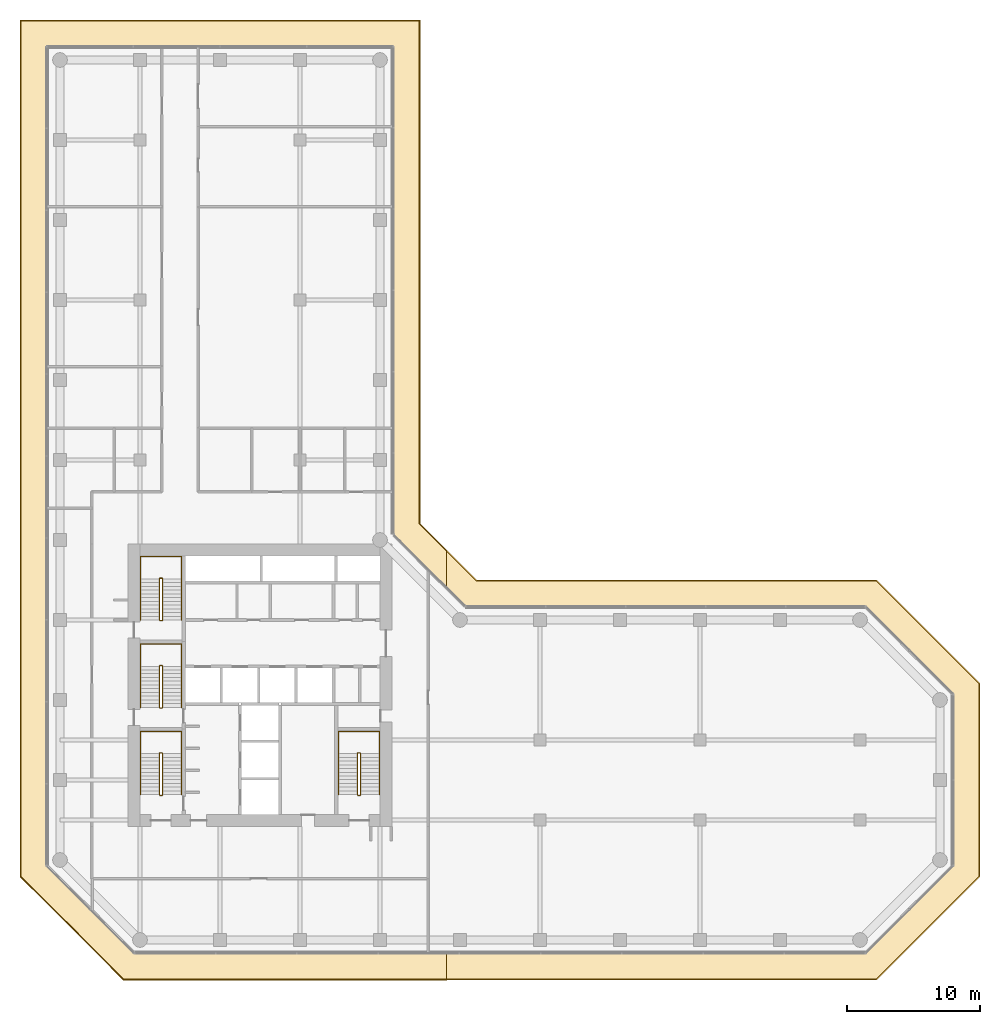
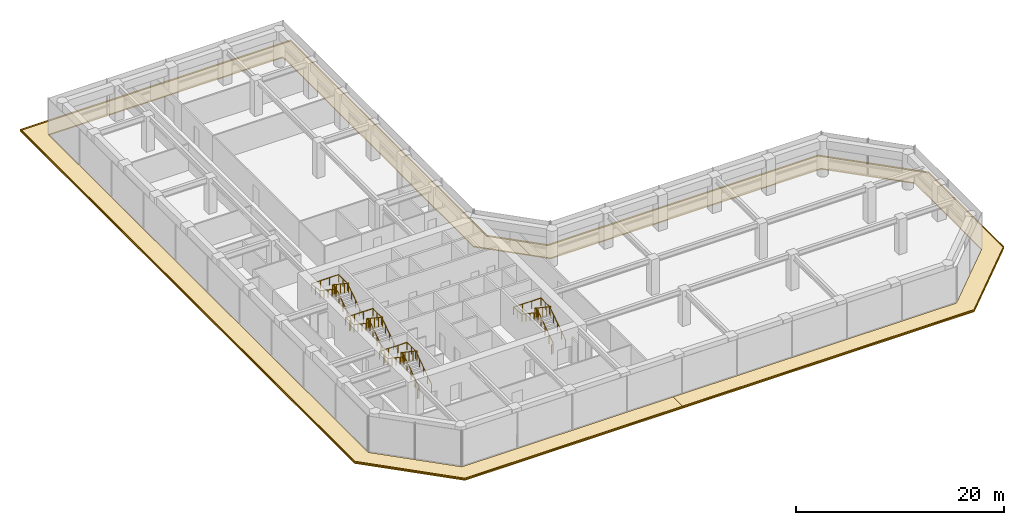
# One storey, part 24 of 24: 8 railings, 4 coverings.
"""IFC4 building model written with IfcOpenShell, lengths in metres."""

from ifc_helpers import new_model, si_unit, direction, frame, origin, origin_2d, place, context, subcontext, project, spatial, polyline, circle, outline, extrude, material, layer, layer_set, type_object, element, save


model = new_model("IFC4")

# Units and contexts
model_context = context("Model", 3, precision=1e-05, world=origin(), true_north=direction((0.0, 1.0)))
body_context = subcontext(model_context, "Body", "Model", "MODEL_VIEW")
ifc_project = project(units=[si_unit("LENGTHUNIT", "METRE"), si_unit("AREAUNIT", "SQUARE_METRE"), si_unit("VOLUMEUNIT", "CUBIC_METRE"), si_unit("PLANEANGLEUNIT", "RADIAN"), si_unit("MASSUNIT", "GRAM", prefix="KILO")], contexts=[model_context])

# Site, building, storey
site_placement = place(None, origin())
site = spatial("IfcSite", under=ifc_project, at=site_placement, CompositionType="ELEMENT")
building_placement = place(site_placement, origin())
building = spatial("IfcBuilding", under=site, at=building_placement, Name="Welwitschia Terrace Campus", CompositionType="ELEMENT")
storey_placement = place(building_placement, frame((0.0, 0.0, 15.5)))
storey = spatial("IfcBuildingStorey", under=building, at=storey_placement, Name="L03", CompositionType="ELEMENT", Elevation=15.5)

# Railings
ifc_material_1 = material(Name="Steel S355", Category="steel")
railing_type_1 = type_object("IfcRailingType", Name="Stair guard 1100", PredefinedType="GUARDRAIL", material=ifc_material_1)
railing_1_placement = place(storey_placement, frame((7.5, 6.85009765625, 0.0)))
element("IfcRailing", 1, at=railing_1_placement, inside=storey, type_object=railing_type_1, Name="L03 S1 stair guard", PredefinedType="GUARDRAIL", context=body_context, shape_type="SweptSolid", body=[
    extrude(circle(Radius=0.02392578125, at=origin_2d()), frame((0.0, 0.0, 1.076171875), z_axis=(1.0, 0.0, 0.0), x_axis=(0.0, 1.0, 0.0)), (0.0, 0.0, 1.0), 0.14990234375),
    extrude(circle(Radius=0.02392578125, at=origin_2d()), frame((0.14990234375, 0.0, 1.076171875), z_axis=(0.249802250048, 0.248583702486, 0.935844527007), x_axis=(-0.705375805398, 0.708833529934, 0.0)), (0.0, 0.0, 1.0), 0.200439453125),
    extrude(circle(Radius=0.02392578125, at=origin_2d()), frame((0.199951171875, 0.0498046875, 1.263671875), z_axis=(0.0, 0.830913701846, 0.55640131208), x_axis=(-1.0, 0.0, 0.0)), (0.0, 0.0, 1.0), 3.706787109375),
    extrude(circle(Radius=0.02392578125, at=origin_2d()), frame((0.199951171875, 3.1298828125, 3.326171875), z_axis=(-0.707106781187, 0.707106781187, 0.0), x_axis=(-0.707106781187, -0.707106781187, 0.0)), (0.0, 0.0, 1.0), 0.07080078125),
    extrude(circle(Radius=0.02392578125, at=origin_2d()), frame((0.14990234375, 3.179931640625, 3.326171875), z_axis=(-1.0, 0.0, 0.0), x_axis=(0.0, -1.0, 0.0)), (0.0, 0.0, 1.0), 0.14990234375),
    extrude(circle(Radius=0.02392578125, at=origin_2d()), frame((0.0, 3.179931640625, 3.326171875), z_axis=(-0.249726431254, -0.249726431254, 0.935560483917), x_axis=(0.707106781187, -0.707106781187, 0.0)), (0.0, 0.0, 1.0), 0.200439453125),
    extrude(circle(Radius=0.02392578125, at=origin_2d()), frame((-0.050048828125, 3.1298828125, 3.513671875), z_axis=(0.0, -0.830913701846, 0.55640131208), x_axis=(1.0, 0.0, 0.0)), (0.0, 0.0, 1.0), 3.706787109375),
    extrude(circle(Radius=0.02099609375, at=origin_2d()), origin(), (0.0, 0.0, 1.0), 1.052001953125),
    extrude(circle(Radius=0.02099609375, at=origin_2d()), frame((0.14990234375, 0.0, 0.0)), (0.0, 0.0, 1.0), 1.052001953125),
    extrude(circle(Radius=0.02099609375, at=origin_2d()), frame((0.199951171875, 0.0498046875, 0.1875)), (0.0, 0.0, 1.0), 1.052001953125),
    extrude(circle(Radius=0.02099609375, at=origin_2d()), frame((0.199951171875, 0.81982421875, 0.703125)), (0.0, 0.0, 1.0), 1.052001953125),
    extrude(circle(Radius=0.02099609375, at=origin_2d()), frame((0.199951171875, 1.58984375, 1.21875)), (0.0, 0.0, 1.0), 1.052001953125),
    extrude(circle(Radius=0.02099609375, at=origin_2d()), frame((0.199951171875, 2.35986328125, 1.734375)), (0.0, 0.0, 1.0), 1.052001953125),
    extrude(circle(Radius=0.02099609375, at=origin_2d()), frame((0.199951171875, 3.1298828125, 2.25)), (0.0, 0.0, 1.0), 1.052001953125),
    extrude(circle(Radius=0.02099609375, at=origin_2d()), frame((0.14990234375, 3.179931640625, 2.25)), (0.0, 0.0, 1.0), 1.052001953125),
    extrude(circle(Radius=0.02099609375, at=origin_2d()), frame((0.0, 3.179931640625, 2.25)), (0.0, 0.0, 1.0), 1.052001953125),
    extrude(circle(Radius=0.02099609375, at=origin_2d()), frame((-0.050048828125, 3.1298828125, 2.4375)), (0.0, 0.0, 1.0), 1.052001953125),
    extrude(circle(Radius=0.02099609375, at=origin_2d()), frame((-0.050048828125, 2.35986328125, 2.953125)), (0.0, 0.0, 1.0), 1.052001953125),
    extrude(circle(Radius=0.02099609375, at=origin_2d()), frame((-0.050048828125, 1.58984375, 3.46875)), (0.0, 0.0, 1.0), 1.052001953125),
    extrude(circle(Radius=0.02099609375, at=origin_2d()), frame((-0.050048828125, 0.81982421875, 3.984375)), (0.0, 0.0, 1.0), 1.052001953125),
    extrude(circle(Radius=0.02099609375, at=origin_2d()), frame((-0.050048828125, 0.0498046875, 4.5)), (0.0, 0.0, 1.0), 1.052001953125),
])
railing_2_placement = place(storey_placement, frame((7.5, 13.39990234375, 0.0)))
element("IfcRailing", 2, at=railing_2_placement, inside=storey, type_object=railing_type_1, Name="L03 S3 stair guard", PredefinedType="GUARDRAIL", context=body_context, shape_type="SweptSolid", body=[
    extrude(circle(Radius=0.02392578125, at=origin_2d()), frame((0.0, 0.0, 1.076171875), z_axis=(1.0, 0.0, 0.0), x_axis=(0.0, 1.0, 0.0)), (0.0, 0.0, 1.0), 0.14990234375),
    extrude(circle(Radius=0.02392578125, at=origin_2d()), frame((0.14990234375, 0.0, 1.076171875), z_axis=(0.249726431254, 0.249726431254, 0.935560483917), x_axis=(-0.707106781187, 0.707106781187, 0.0)), (0.0, 0.0, 1.0), 0.200439453125),
    extrude(circle(Radius=0.02392578125, at=origin_2d()), frame((0.199951171875, 0.050048828125, 1.263671875), z_axis=(0.0, 0.830913701846, 0.55640131208), x_axis=(-1.0, 0.0, 0.0)), (0.0, 0.0, 1.0), 3.706787109375),
    extrude(circle(Radius=0.02392578125, at=origin_2d()), frame((0.199951171875, 3.130126953125, 3.326171875), z_axis=(-0.707106781187, 0.707106781187, 0.0), x_axis=(-0.707106781187, -0.707106781187, 0.0)), (0.0, 0.0, 1.0), 0.07080078125),
    extrude(circle(Radius=0.02392578125, at=origin_2d()), frame((0.14990234375, 3.18017578125, 3.326171875), z_axis=(-1.0, 0.0, 0.0), x_axis=(0.0, -1.0, 0.0)), (0.0, 0.0, 1.0), 0.14990234375),
    extrude(circle(Radius=0.02392578125, at=origin_2d()), frame((0.0, 3.18017578125, 3.326171875), z_axis=(-0.249726431254, -0.249726431254, 0.935560483917), x_axis=(0.707106781187, -0.707106781187, 0.0)), (0.0, 0.0, 1.0), 0.200439453125),
    extrude(circle(Radius=0.02392578125, at=origin_2d()), frame((-0.050048828125, 3.130126953125, 3.513671875), z_axis=(0.0, -0.830913701846, 0.55640131208), x_axis=(1.0, 0.0, 0.0)), (0.0, 0.0, 1.0), 3.706787109375),
    extrude(circle(Radius=0.02099609375, at=origin_2d()), origin(), (0.0, 0.0, 1.0), 1.052001953125),
    extrude(circle(Radius=0.02099609375, at=origin_2d()), frame((0.14990234375, 0.0, 0.0)), (0.0, 0.0, 1.0), 1.052001953125),
    extrude(circle(Radius=0.02099609375, at=origin_2d()), frame((0.199951171875, 0.050048828125, 0.1875)), (0.0, 0.0, 1.0), 1.052001953125),
    extrude(circle(Radius=0.02099609375, at=origin_2d()), frame((0.199951171875, 0.820068359375, 0.703125)), (0.0, 0.0, 1.0), 1.052001953125),
    extrude(circle(Radius=0.02099609375, at=origin_2d()), frame((0.199951171875, 1.590087890625, 1.21875)), (0.0, 0.0, 1.0), 1.052001953125),
    extrude(circle(Radius=0.02099609375, at=origin_2d()), frame((0.199951171875, 2.360107421875, 1.734375)), (0.0, 0.0, 1.0), 1.052001953125),
    extrude(circle(Radius=0.02099609375, at=origin_2d()), frame((0.199951171875, 3.130126953125, 2.25)), (0.0, 0.0, 1.0), 1.052001953125),
    extrude(circle(Radius=0.02099609375, at=origin_2d()), frame((0.14990234375, 3.18017578125, 2.25)), (0.0, 0.0, 1.0), 1.052001953125),
    extrude(circle(Radius=0.02099609375, at=origin_2d()), frame((0.0, 3.18017578125, 2.25)), (0.0, 0.0, 1.0), 1.052001953125),
    extrude(circle(Radius=0.02099609375, at=origin_2d()), frame((-0.050048828125, 3.130126953125, 2.4375)), (0.0, 0.0, 1.0), 1.052001953125),
    extrude(circle(Radius=0.02099609375, at=origin_2d()), frame((-0.050048828125, 2.360107421875, 2.953125)), (0.0, 0.0, 1.0), 1.052001953125),
    extrude(circle(Radius=0.02099609375, at=origin_2d()), frame((-0.050048828125, 1.590087890625, 3.46875)), (0.0, 0.0, 1.0), 1.052001953125),
    extrude(circle(Radius=0.02099609375, at=origin_2d()), frame((-0.050048828125, 0.820068359375, 3.984375)), (0.0, 0.0, 1.0), 1.052001953125),
    extrude(circle(Radius=0.02099609375, at=origin_2d()), frame((-0.050048828125, 0.050048828125, 4.5)), (0.0, 0.0, 1.0), 1.052001953125),
])
railing_3_placement = place(storey_placement, frame((7.5, 19.949951171875, 0.0)))
element("IfcRailing", 3, at=railing_3_placement, inside=storey, type_object=railing_type_1, Name="L03 S4 stair guard", PredefinedType="GUARDRAIL", context=body_context, shape_type="SweptSolid", body=[
    extrude(circle(Radius=0.02392578125, at=origin_2d()), frame((0.0, 0.0, 1.076171875), z_axis=(1.0, 0.0, 0.0), x_axis=(0.0, 1.0, 0.0)), (0.0, 0.0, 1.0), 0.14990234375),
    extrude(circle(Radius=0.02392578125, at=origin_2d()), frame((0.14990234375, 0.0, 1.076171875), z_axis=(0.249726431254, 0.249726431254, 0.935560483917), x_axis=(-0.707106781187, 0.707106781187, 0.0)), (0.0, 0.0, 1.0), 0.200439453125),
    extrude(circle(Radius=0.02392578125, at=origin_2d()), frame((0.199951171875, 0.050048828125, 1.263671875), z_axis=(0.0, 0.830913701846, 0.55640131208), x_axis=(-1.0, 0.0, 0.0)), (0.0, 0.0, 1.0), 3.706787109375),
    extrude(circle(Radius=0.02392578125, at=origin_2d()), frame((0.199951171875, 3.130126953125, 3.326171875), z_axis=(-0.708833529934, 0.705375805398, 0.0), x_axis=(-0.705375805398, -0.708833529934, 0.0)), (0.0, 0.0, 1.0), 0.070556640625),
    extrude(circle(Radius=0.02392578125, at=origin_2d()), frame((0.14990234375, 3.179931640625, 3.326171875), z_axis=(-1.0, 0.0, 0.0), x_axis=(0.0, -1.0, 0.0)), (0.0, 0.0, 1.0), 0.14990234375),
    extrude(circle(Radius=0.02392578125, at=origin_2d()), frame((0.0, 3.179931640625, 3.326171875), z_axis=(-0.249802250048, -0.248583702486, 0.935844527007), x_axis=(0.705375805398, -0.708833529934, 0.0)), (0.0, 0.0, 1.0), 0.200439453125),
    extrude(circle(Radius=0.02392578125, at=origin_2d()), frame((-0.050048828125, 3.130126953125, 3.513671875), z_axis=(0.0, -0.830913701846, 0.55640131208), x_axis=(1.0, 0.0, 0.0)), (0.0, 0.0, 1.0), 3.706787109375),
    extrude(circle(Radius=0.02099609375, at=origin_2d()), origin(), (0.0, 0.0, 1.0), 1.052001953125),
    extrude(circle(Radius=0.02099609375, at=origin_2d()), frame((0.14990234375, 0.0, 0.0)), (0.0, 0.0, 1.0), 1.052001953125),
    extrude(circle(Radius=0.02099609375, at=origin_2d()), frame((0.199951171875, 0.050048828125, 0.1875)), (0.0, 0.0, 1.0), 1.052001953125),
    extrude(circle(Radius=0.02099609375, at=origin_2d()), frame((0.199951171875, 0.820068359375, 0.703125)), (0.0, 0.0, 1.0), 1.052001953125),
    extrude(circle(Radius=0.02099609375, at=origin_2d()), frame((0.199951171875, 1.590087890625, 1.21875)), (0.0, 0.0, 1.0), 1.052001953125),
    extrude(circle(Radius=0.02099609375, at=origin_2d()), frame((0.199951171875, 2.360107421875, 1.734375)), (0.0, 0.0, 1.0), 1.052001953125),
    extrude(circle(Radius=0.02099609375, at=origin_2d()), frame((0.199951171875, 3.130126953125, 2.25)), (0.0, 0.0, 1.0), 1.052001953125),
    extrude(circle(Radius=0.02099609375, at=origin_2d()), frame((0.14990234375, 3.179931640625, 2.25)), (0.0, 0.0, 1.0), 1.052001953125),
    extrude(circle(Radius=0.02099609375, at=origin_2d()), frame((0.0, 3.179931640625, 2.25)), (0.0, 0.0, 1.0), 1.052001953125),
    extrude(circle(Radius=0.02099609375, at=origin_2d()), frame((-0.050048828125, 3.130126953125, 2.4375)), (0.0, 0.0, 1.0), 1.052001953125),
    extrude(circle(Radius=0.02099609375, at=origin_2d()), frame((-0.050048828125, 2.360107421875, 2.953125)), (0.0, 0.0, 1.0), 1.052001953125),
    extrude(circle(Radius=0.02099609375, at=origin_2d()), frame((-0.050048828125, 1.590087890625, 3.46875)), (0.0, 0.0, 1.0), 1.052001953125),
    extrude(circle(Radius=0.02099609375, at=origin_2d()), frame((-0.050048828125, 0.820068359375, 3.984375)), (0.0, 0.0, 1.0), 1.052001953125),
    extrude(circle(Radius=0.02099609375, at=origin_2d()), frame((-0.050048828125, 0.050048828125, 4.5)), (0.0, 0.0, 1.0), 1.052001953125),
])
railing_4_placement = place(storey_placement, frame((22.35009765625, 6.85009765625, 0.0)))
element("IfcRailing", 4, at=railing_4_placement, inside=storey, type_object=railing_type_1, Name="L03 S2 stair guard", PredefinedType="GUARDRAIL", context=body_context, shape_type="SweptSolid", body=[
    extrude(circle(Radius=0.02392578125, at=origin_2d()), frame((0.0, 0.0, 1.076171875), z_axis=(1.0, 0.0, 0.0), x_axis=(0.0, 1.0, 0.0)), (0.0, 0.0, 1.0), 0.14990234375),
    extrude(circle(Radius=0.02392578125, at=origin_2d()), frame((0.14990234375, 0.0, 1.076171875), z_axis=(0.249802250048, 0.248583702486, 0.935844527007), x_axis=(-0.705375805398, 0.708833529934, 0.0)), (0.0, 0.0, 1.0), 0.200439453125),
    extrude(circle(Radius=0.02392578125, at=origin_2d()), frame((0.199951171875, 0.0498046875, 1.263671875), z_axis=(0.0, 0.830913701846, 0.55640131208), x_axis=(-1.0, 0.0, 0.0)), (0.0, 0.0, 1.0), 3.706787109375),
    extrude(circle(Radius=0.02392578125, at=origin_2d()), frame((0.199951171875, 3.1298828125, 3.326171875), z_axis=(-0.707106781187, 0.707106781187, 0.0), x_axis=(-0.707106781187, -0.707106781187, 0.0)), (0.0, 0.0, 1.0), 0.07080078125),
    extrude(circle(Radius=0.02392578125, at=origin_2d()), frame((0.14990234375, 3.179931640625, 3.326171875), z_axis=(-1.0, 0.0, 0.0), x_axis=(0.0, -1.0, 0.0)), (0.0, 0.0, 1.0), 0.14990234375),
    extrude(circle(Radius=0.02392578125, at=origin_2d()), frame((0.0, 3.179931640625, 3.326171875), z_axis=(-0.249726431254, -0.249726431254, 0.935560483917), x_axis=(0.707106781187, -0.707106781187, 0.0)), (0.0, 0.0, 1.0), 0.200439453125),
    extrude(circle(Radius=0.02392578125, at=origin_2d()), frame((-0.050048828125, 3.1298828125, 3.513671875), z_axis=(0.0, -0.830913701846, 0.55640131208), x_axis=(1.0, 0.0, 0.0)), (0.0, 0.0, 1.0), 3.706787109375),
    extrude(circle(Radius=0.02099609375, at=origin_2d()), origin(), (0.0, 0.0, 1.0), 1.052001953125),
    extrude(circle(Radius=0.02099609375, at=origin_2d()), frame((0.14990234375, 0.0, 0.0)), (0.0, 0.0, 1.0), 1.052001953125),
    extrude(circle(Radius=0.02099609375, at=origin_2d()), frame((0.199951171875, 0.0498046875, 0.1875)), (0.0, 0.0, 1.0), 1.052001953125),
    extrude(circle(Radius=0.02099609375, at=origin_2d()), frame((0.199951171875, 0.81982421875, 0.703125)), (0.0, 0.0, 1.0), 1.052001953125),
    extrude(circle(Radius=0.02099609375, at=origin_2d()), frame((0.199951171875, 1.58984375, 1.21875)), (0.0, 0.0, 1.0), 1.052001953125),
    extrude(circle(Radius=0.02099609375, at=origin_2d()), frame((0.199951171875, 2.35986328125, 1.734375)), (0.0, 0.0, 1.0), 1.052001953125),
    extrude(circle(Radius=0.02099609375, at=origin_2d()), frame((0.199951171875, 3.1298828125, 2.25)), (0.0, 0.0, 1.0), 1.052001953125),
    extrude(circle(Radius=0.02099609375, at=origin_2d()), frame((0.14990234375, 3.179931640625, 2.25)), (0.0, 0.0, 1.0), 1.052001953125),
    extrude(circle(Radius=0.02099609375, at=origin_2d()), frame((0.0, 3.179931640625, 2.25)), (0.0, 0.0, 1.0), 1.052001953125),
    extrude(circle(Radius=0.02099609375, at=origin_2d()), frame((-0.050048828125, 3.1298828125, 2.4375)), (0.0, 0.0, 1.0), 1.052001953125),
    extrude(circle(Radius=0.02099609375, at=origin_2d()), frame((-0.050048828125, 2.35986328125, 2.953125)), (0.0, 0.0, 1.0), 1.052001953125),
    extrude(circle(Radius=0.02099609375, at=origin_2d()), frame((-0.050048828125, 1.58984375, 3.46875)), (0.0, 0.0, 1.0), 1.052001953125),
    extrude(circle(Radius=0.02099609375, at=origin_2d()), frame((-0.050048828125, 0.81982421875, 3.984375)), (0.0, 0.0, 1.0), 1.052001953125),
    extrude(circle(Radius=0.02099609375, at=origin_2d()), frame((-0.050048828125, 0.0498046875, 4.5)), (0.0, 0.0, 1.0), 1.052001953125),
])
ifc_material_2 = material(Name="Steel S355", Category="steel")
railing_type_2 = type_object("IfcRailingType", Name="Stair handrail 900", PredefinedType="HANDRAIL", material=ifc_material_2)
railing_5_placement = place(storey_placement, frame((9.10009765625, 6.89990234375, 0.1875)))
element("IfcRailing", 5, at=railing_5_placement, inside=storey, type_object=railing_type_2, Name="L03 S1 stair handrail", PredefinedType="HANDRAIL", context=body_context, shape_type="SweptSolid", body=[
    extrude(circle(Radius=0.02392578125, at=origin_2d()), frame((0.0, 0.0, 0.8759765625), z_axis=(0.0, 0.830913701846, 0.55640131208), x_axis=(-1.0, 0.0, 0.0)), (0.0, 0.0, 1.0), 3.706787109375),
    extrude(circle(Radius=0.02392578125, at=origin_2d()), frame((0.0, 3.080078125, 2.9384765625), z_axis=(0.0, 1.0, 0.0), x_axis=(-1.0, 0.0, 0.0)), (0.0, 0.0, 1.0), 1.669921875),
    extrude(circle(Radius=0.02392578125, at=origin_2d()), frame((0.0, 4.75, 2.9384765625), z_axis=(-1.0, 0.0, 0.0), x_axis=(0.0, -1.0, 0.0)), (0.0, 0.0, 1.0), 3.050048828125),
    extrude(circle(Radius=0.02392578125, at=origin_2d()), frame((-3.050048828125, 4.75, 2.9384765625), z_axis=(0.0, -0.993755503435, 0.111579565298), x_axis=(1.0, 0.0, 0.0)), (0.0, 0.0, 1.0), 1.680419921875),
    extrude(circle(Radius=0.02392578125, at=origin_2d()), frame((-3.050048828125, 3.080078125, 3.1259765625), z_axis=(0.0, -0.830913701846, 0.55640131208), x_axis=(1.0, 0.0, 0.0)), (0.0, 0.0, 1.0), 3.706787109375),
    extrude(circle(Radius=0.02099609375, at=origin_2d()), origin(), (0.0, 0.0, 1.0), 0.851806640625),
    extrude(circle(Radius=0.02099609375, at=origin_2d()), frame((0.0, 0.77001953125, 0.515625)), (0.0, 0.0, 1.0), 0.851806640625),
    extrude(circle(Radius=0.02099609375, at=origin_2d()), frame((0.0, 1.5400390625, 1.03125)), (0.0, 0.0, 1.0), 0.851806640625),
    extrude(circle(Radius=0.02099609375, at=origin_2d()), frame((0.0, 2.31005859375, 1.546875)), (0.0, 0.0, 1.0), 0.851806640625),
    extrude(circle(Radius=0.02099609375, at=origin_2d()), frame((0.0, 3.080078125, 2.0625)), (0.0, 0.0, 1.0), 0.851806640625),
    extrude(circle(Radius=0.02099609375, at=origin_2d()), frame((0.0, 3.9150390625, 2.0625)), (0.0, 0.0, 1.0), 0.851806640625),
    extrude(circle(Radius=0.02099609375, at=origin_2d()), frame((0.0, 4.75, 2.0625)), (0.0, 0.0, 1.0), 0.851806640625),
    extrude(circle(Radius=0.02099609375, at=origin_2d()), frame((-1.0166015625, 4.75, 2.0625)), (0.0, 0.0, 1.0), 0.851806640625),
    extrude(circle(Radius=0.02099609375, at=origin_2d()), frame((-2.033447265625, 4.75, 2.0625)), (0.0, 0.0, 1.0), 0.851806640625),
    extrude(circle(Radius=0.02099609375, at=origin_2d()), frame((-3.050048828125, 4.75, 2.0625)), (0.0, 0.0, 1.0), 0.851806640625),
    extrude(circle(Radius=0.02099609375, at=origin_2d()), frame((-3.050048828125, 3.9150390625, 2.15625)), (0.0, 0.0, 1.0), 0.851806640625),
    extrude(circle(Radius=0.02099609375, at=origin_2d()), frame((-3.050048828125, 3.080078125, 2.25)), (0.0, 0.0, 1.0), 0.851806640625),
    extrude(circle(Radius=0.02099609375, at=origin_2d()), frame((-3.050048828125, 2.31005859375, 2.765625)), (0.0, 0.0, 1.0), 0.851806640625),
    extrude(circle(Radius=0.02099609375, at=origin_2d()), frame((-3.050048828125, 1.5400390625, 3.28125)), (0.0, 0.0, 1.0), 0.851806640625),
    extrude(circle(Radius=0.02099609375, at=origin_2d()), frame((-3.050048828125, 0.77001953125, 3.796875)), (0.0, 0.0, 1.0), 0.851806640625),
    extrude(circle(Radius=0.02099609375, at=origin_2d()), frame((-3.050048828125, 0.0, 4.3125)), (0.0, 0.0, 1.0), 0.851806640625),
])
railing_6_placement = place(storey_placement, frame((9.10009765625, 13.449951171875, 0.1875)))
element("IfcRailing", 6, at=railing_6_placement, inside=storey, type_object=railing_type_2, Name="L03 S3 stair handrail", PredefinedType="HANDRAIL", context=body_context, shape_type="SweptSolid", body=[
    extrude(circle(Radius=0.02392578125, at=origin_2d()), frame((0.0, 0.0, 0.8759765625), z_axis=(0.0, 0.830913701846, 0.55640131208), x_axis=(-1.0, 0.0, 0.0)), (0.0, 0.0, 1.0), 3.706787109375),
    extrude(circle(Radius=0.02392578125, at=origin_2d()), frame((0.0, 3.080078125, 2.9384765625), z_axis=(0.0, 1.0, 0.0), x_axis=(-1.0, 0.0, 0.0)), (0.0, 0.0, 1.0), 1.669921875),
    extrude(circle(Radius=0.02392578125, at=origin_2d()), frame((0.0, 4.75, 2.9384765625), z_axis=(-1.0, 0.0, 0.0), x_axis=(0.0, -1.0, 0.0)), (0.0, 0.0, 1.0), 3.050048828125),
    extrude(circle(Radius=0.02392578125, at=origin_2d()), frame((-3.050048828125, 4.75, 2.9384765625), z_axis=(0.0, -0.993755503435, 0.111579565298), x_axis=(1.0, 0.0, 0.0)), (0.0, 0.0, 1.0), 1.680419921875),
    extrude(circle(Radius=0.02392578125, at=origin_2d()), frame((-3.050048828125, 3.080078125, 3.1259765625), z_axis=(0.0, -0.830913701846, 0.55640131208), x_axis=(1.0, 0.0, 0.0)), (0.0, 0.0, 1.0), 3.706787109375),
    extrude(circle(Radius=0.02099609375, at=origin_2d()), origin(), (0.0, 0.0, 1.0), 0.851806640625),
    extrude(circle(Radius=0.02099609375, at=origin_2d()), frame((0.0, 0.77001953125, 0.515625)), (0.0, 0.0, 1.0), 0.851806640625),
    extrude(circle(Radius=0.02099609375, at=origin_2d()), frame((0.0, 1.5400390625, 1.03125)), (0.0, 0.0, 1.0), 0.851806640625),
    extrude(circle(Radius=0.02099609375, at=origin_2d()), frame((0.0, 2.31005859375, 1.546875)), (0.0, 0.0, 1.0), 0.851806640625),
    extrude(circle(Radius=0.02099609375, at=origin_2d()), frame((0.0, 3.080078125, 2.0625)), (0.0, 0.0, 1.0), 0.851806640625),
    extrude(circle(Radius=0.02099609375, at=origin_2d()), frame((0.0, 3.9150390625, 2.0625)), (0.0, 0.0, 1.0), 0.851806640625),
    extrude(circle(Radius=0.02099609375, at=origin_2d()), frame((0.0, 4.75, 2.0625)), (0.0, 0.0, 1.0), 0.851806640625),
    extrude(circle(Radius=0.02099609375, at=origin_2d()), frame((-1.0166015625, 4.75, 2.0625)), (0.0, 0.0, 1.0), 0.851806640625),
    extrude(circle(Radius=0.02099609375, at=origin_2d()), frame((-2.033447265625, 4.75, 2.0625)), (0.0, 0.0, 1.0), 0.851806640625),
    extrude(circle(Radius=0.02099609375, at=origin_2d()), frame((-3.050048828125, 4.75, 2.0625)), (0.0, 0.0, 1.0), 0.851806640625),
    extrude(circle(Radius=0.02099609375, at=origin_2d()), frame((-3.050048828125, 3.9150390625, 2.15625)), (0.0, 0.0, 1.0), 0.851806640625),
    extrude(circle(Radius=0.02099609375, at=origin_2d()), frame((-3.050048828125, 3.080078125, 2.25)), (0.0, 0.0, 1.0), 0.851806640625),
    extrude(circle(Radius=0.02099609375, at=origin_2d()), frame((-3.050048828125, 2.31005859375, 2.765625)), (0.0, 0.0, 1.0), 0.851806640625),
    extrude(circle(Radius=0.02099609375, at=origin_2d()), frame((-3.050048828125, 1.5400390625, 3.28125)), (0.0, 0.0, 1.0), 0.851806640625),
    extrude(circle(Radius=0.02099609375, at=origin_2d()), frame((-3.050048828125, 0.77001953125, 3.796875)), (0.0, 0.0, 1.0), 0.851806640625),
    extrude(circle(Radius=0.02099609375, at=origin_2d()), frame((-3.050048828125, 0.0, 4.3125)), (0.0, 0.0, 1.0), 0.851806640625),
])
railing_7_placement = place(storey_placement, frame((9.10009765625, 20.0, 0.1875)))
element("IfcRailing", 7, at=railing_7_placement, inside=storey, type_object=railing_type_2, Name="L03 S4 stair handrail", PredefinedType="HANDRAIL", context=body_context, shape_type="SweptSolid", body=[
    extrude(circle(Radius=0.02392578125, at=origin_2d()), frame((0.0, 0.0, 0.8759765625), z_axis=(0.0, 0.830913701846, 0.55640131208), x_axis=(-1.0, 0.0, 0.0)), (0.0, 0.0, 1.0), 3.706787109375),
    extrude(circle(Radius=0.02392578125, at=origin_2d()), frame((0.0, 3.080078125, 2.9384765625), z_axis=(0.0, 1.0, 0.0), x_axis=(-1.0, 0.0, 0.0)), (0.0, 0.0, 1.0), 1.669921875),
    extrude(circle(Radius=0.02392578125, at=origin_2d()), frame((0.0, 4.75, 2.9384765625), z_axis=(-1.0, 0.0, 0.0), x_axis=(0.0, -1.0, 0.0)), (0.0, 0.0, 1.0), 3.050048828125),
    extrude(circle(Radius=0.02392578125, at=origin_2d()), frame((-3.050048828125, 4.75, 2.9384765625), z_axis=(0.0, -0.993755503435, 0.111579565298), x_axis=(1.0, 0.0, 0.0)), (0.0, 0.0, 1.0), 1.680419921875),
    extrude(circle(Radius=0.02392578125, at=origin_2d()), frame((-3.050048828125, 3.080078125, 3.1259765625), z_axis=(0.0, -0.830913701846, 0.55640131208), x_axis=(1.0, 0.0, 0.0)), (0.0, 0.0, 1.0), 3.706787109375),
    extrude(circle(Radius=0.02099609375, at=origin_2d()), origin(), (0.0, 0.0, 1.0), 0.851806640625),
    extrude(circle(Radius=0.02099609375, at=origin_2d()), frame((0.0, 0.77001953125, 0.515625)), (0.0, 0.0, 1.0), 0.851806640625),
    extrude(circle(Radius=0.02099609375, at=origin_2d()), frame((0.0, 1.5400390625, 1.03125)), (0.0, 0.0, 1.0), 0.851806640625),
    extrude(circle(Radius=0.02099609375, at=origin_2d()), frame((0.0, 2.31005859375, 1.546875)), (0.0, 0.0, 1.0), 0.851806640625),
    extrude(circle(Radius=0.02099609375, at=origin_2d()), frame((0.0, 3.080078125, 2.0625)), (0.0, 0.0, 1.0), 0.851806640625),
    extrude(circle(Radius=0.02099609375, at=origin_2d()), frame((0.0, 3.9150390625, 2.0625)), (0.0, 0.0, 1.0), 0.851806640625),
    extrude(circle(Radius=0.02099609375, at=origin_2d()), frame((0.0, 4.75, 2.0625)), (0.0, 0.0, 1.0), 0.851806640625),
    extrude(circle(Radius=0.02099609375, at=origin_2d()), frame((-1.0166015625, 4.75, 2.0625)), (0.0, 0.0, 1.0), 0.851806640625),
    extrude(circle(Radius=0.02099609375, at=origin_2d()), frame((-2.033447265625, 4.75, 2.0625)), (0.0, 0.0, 1.0), 0.851806640625),
    extrude(circle(Radius=0.02099609375, at=origin_2d()), frame((-3.050048828125, 4.75, 2.0625)), (0.0, 0.0, 1.0), 0.851806640625),
    extrude(circle(Radius=0.02099609375, at=origin_2d()), frame((-3.050048828125, 3.9150390625, 2.15625)), (0.0, 0.0, 1.0), 0.851806640625),
    extrude(circle(Radius=0.02099609375, at=origin_2d()), frame((-3.050048828125, 3.080078125, 2.25)), (0.0, 0.0, 1.0), 0.851806640625),
    extrude(circle(Radius=0.02099609375, at=origin_2d()), frame((-3.050048828125, 2.31005859375, 2.765625)), (0.0, 0.0, 1.0), 0.851806640625),
    extrude(circle(Radius=0.02099609375, at=origin_2d()), frame((-3.050048828125, 1.5400390625, 3.28125)), (0.0, 0.0, 1.0), 0.851806640625),
    extrude(circle(Radius=0.02099609375, at=origin_2d()), frame((-3.050048828125, 0.77001953125, 3.796875)), (0.0, 0.0, 1.0), 0.851806640625),
    extrude(circle(Radius=0.02099609375, at=origin_2d()), frame((-3.050048828125, 0.0, 4.3125)), (0.0, 0.0, 1.0), 0.851806640625),
])
railing_8_placement = place(storey_placement, frame((23.949951171875, 6.89990234375, 0.1875)))
element("IfcRailing", 8, at=railing_8_placement, inside=storey, type_object=railing_type_2, Name="L03 S2 stair handrail", PredefinedType="HANDRAIL", context=body_context, shape_type="SweptSolid", body=[
    extrude(circle(Radius=0.02392578125, at=origin_2d()), frame((0.0, 0.0, 0.8759765625), z_axis=(0.0, 0.830913701846, 0.55640131208), x_axis=(-1.0, 0.0, 0.0)), (0.0, 0.0, 1.0), 3.706787109375),
    extrude(circle(Radius=0.02392578125, at=origin_2d()), frame((0.0, 3.080078125, 2.9384765625), z_axis=(0.0, 1.0, 0.0), x_axis=(-1.0, 0.0, 0.0)), (0.0, 0.0, 1.0), 1.669921875),
    extrude(circle(Radius=0.02392578125, at=origin_2d()), frame((0.0, 4.75, 2.9384765625), z_axis=(-1.0, 0.0, 0.0), x_axis=(0.0, -1.0, 0.0)), (0.0, 0.0, 1.0), 3.050048828125),
    extrude(circle(Radius=0.02392578125, at=origin_2d()), frame((-3.050048828125, 4.75, 2.9384765625), z_axis=(0.0, -0.993755503435, 0.111579565298), x_axis=(1.0, 0.0, 0.0)), (0.0, 0.0, 1.0), 1.680419921875),
    extrude(circle(Radius=0.02392578125, at=origin_2d()), frame((-3.050048828125, 3.080078125, 3.1259765625), z_axis=(0.0, -0.830913701846, 0.55640131208), x_axis=(1.0, 0.0, 0.0)), (0.0, 0.0, 1.0), 3.706787109375),
    extrude(circle(Radius=0.02099609375, at=origin_2d()), origin(), (0.0, 0.0, 1.0), 0.851806640625),
    extrude(circle(Radius=0.02099609375, at=origin_2d()), frame((0.0, 0.77001953125, 0.515625)), (0.0, 0.0, 1.0), 0.851806640625),
    extrude(circle(Radius=0.02099609375, at=origin_2d()), frame((0.0, 1.5400390625, 1.03125)), (0.0, 0.0, 1.0), 0.851806640625),
    extrude(circle(Radius=0.02099609375, at=origin_2d()), frame((0.0, 2.31005859375, 1.546875)), (0.0, 0.0, 1.0), 0.851806640625),
    extrude(circle(Radius=0.02099609375, at=origin_2d()), frame((0.0, 3.080078125, 2.0625)), (0.0, 0.0, 1.0), 0.851806640625),
    extrude(circle(Radius=0.02099609375, at=origin_2d()), frame((0.0, 3.9150390625, 2.0625)), (0.0, 0.0, 1.0), 0.851806640625),
    extrude(circle(Radius=0.02099609375, at=origin_2d()), frame((0.0, 4.75, 2.0625)), (0.0, 0.0, 1.0), 0.851806640625),
    extrude(circle(Radius=0.02099609375, at=origin_2d()), frame((-1.0166015625, 4.75, 2.0625)), (0.0, 0.0, 1.0), 0.851806640625),
    extrude(circle(Radius=0.02099609375, at=origin_2d()), frame((-2.033447265625, 4.75, 2.0625)), (0.0, 0.0, 1.0), 0.851806640625),
    extrude(circle(Radius=0.02099609375, at=origin_2d()), frame((-3.050048828125, 4.75, 2.0625)), (0.0, 0.0, 1.0), 0.851806640625),
    extrude(circle(Radius=0.02099609375, at=origin_2d()), frame((-3.050048828125, 3.9150390625, 2.15625)), (0.0, 0.0, 1.0), 0.851806640625),
    extrude(circle(Radius=0.02099609375, at=origin_2d()), frame((-3.050048828125, 3.080078125, 2.25)), (0.0, 0.0, 1.0), 0.851806640625),
    extrude(circle(Radius=0.02099609375, at=origin_2d()), frame((-3.050048828125, 2.31005859375, 2.765625)), (0.0, 0.0, 1.0), 0.851806640625),
    extrude(circle(Radius=0.02099609375, at=origin_2d()), frame((-3.050048828125, 1.5400390625, 3.28125)), (0.0, 0.0, 1.0), 0.851806640625),
    extrude(circle(Radius=0.02099609375, at=origin_2d()), frame((-3.050048828125, 0.77001953125, 3.796875)), (0.0, 0.0, 1.0), 0.851806640625),
    extrude(circle(Radius=0.02099609375, at=origin_2d()), frame((-3.050048828125, 0.0, 4.3125)), (0.0, 0.0, 1.0), 0.851806640625),
])

# Coverings
ifc_material_3 = material(Name="Bronze anodised aluminium", Category="aluminium")
ifc_layer_1 = layer(ifc_material_3, 0.1201171875)
ifc_layer_set_1 = layer_set([ifc_layer_1], Name="Bronze anodised aluminium")
covering_type_1 = type_object("IfcCoveringType", Name="Sunshade band 2000", PredefinedType="USERDEFINED", material=ifc_layer_set_1)
covering_1_placement = place(storey_placement, frame((0.0, 0.0, -0.25)))
element("IfcCovering", 9, at=covering_1_placement, inside=storey, type_object=covering_type_1, Name="SUNSHADE L03.SW0", ObjectType="SUNSHADE", PredefinedType="USERDEFINED", context=body_context, shape_type="SweptSolid", body=[
    extrude(outline(polyline([(27.0, 65.0), (27.0, 27.24267578125), (29.0, 25.24267578125), (29.0, 22.414306640625), (25.0, 26.414306640625), (25.0, 63.0), (-1.0, 63.0), (-1.0, 1.585693359375), (5.585693359375, -5.0), (29.0, -5.0), (29.0, -7.0), (4.75732421875, -7.0), (-3.0, 0.75732421875), (-3.0, 65.0), (27.0, 65.0)])), origin(), (0.0, 0.0, 1.0), 0.1201171875),
])
covering_2_placement = place(storey_placement, frame((0.0, 0.0, -0.25)))
element("IfcCovering", 10, at=covering_2_placement, inside=storey, type_object=covering_type_1, Name="SUNSHADE L03.SE0", ObjectType="SUNSHADE", PredefinedType="USERDEFINED", context=body_context, shape_type="SweptSolid", body=[
    extrude(outline(polyline([(31.24267578125, 23.0), (61.24267578125, 23.0), (69.0, 15.24267578125), (69.0, 0.75732421875), (61.24267578125, -7.0), (29.0, -7.0), (29.0, -5.0), (60.414306640625, -5.0), (67.0, 1.585693359375), (67.0, 14.414306640625), (60.414306640625, 21.0), (30.414306640625, 21.0), (29.0, 22.414306640625), (29.0, 25.24267578125), (31.24267578125, 23.0)])), origin(), (0.0, 0.0, 1.0), 0.1201171875),
])
ifc_material_4 = material(Name="Bronze anodised aluminium", Category="aluminium")
ifc_layer_2 = layer(ifc_material_4, 0.06005859375)
ifc_layer_set_2 = layer_set([ifc_layer_2], Name="Bronze anodised aluminium")
covering_type_2 = type_object("IfcCoveringType", Name="Sunshade lip 60", PredefinedType="USERDEFINED", material=ifc_layer_set_2)
covering_3_placement = place(storey_placement, frame((0.0, 0.0, -0.1298828125)))
element("IfcCovering", 11, at=covering_3_placement, inside=storey, type_object=covering_type_2, Name="SUNSHADE LIP L03.SW0.0", ObjectType="SUNSHADE", PredefinedType="USERDEFINED", context=body_context, shape_type="SweptSolid", body=[
    extrude(outline(polyline([(27.0, 27.24267578125), (29.0, 25.24267578125), (29.0, 25.15771484375), (26.93994140625, 27.2177734375), (26.93994140625, 64.93994140625), (-2.93994140625, 64.93994140625), (-2.93994140625, 0.7822265625), (4.7822265625, -6.93994140625), (29.0, -6.93994140625), (29.0, -7.0), (4.75732421875, -7.0), (-3.0, 0.75732421875), (-3.0, 65.0), (27.0, 65.0), (27.0, 27.24267578125)])), origin(), (0.0, 0.0, 1.0), 0.1298828125),
])
covering_4_placement = place(storey_placement, frame((0.0, 0.0, -0.1298828125)))
element("IfcCovering", 12, at=covering_4_placement, inside=storey, type_object=covering_type_2, Name="SUNSHADE LIP L03.SE0.0", ObjectType="SUNSHADE", PredefinedType="USERDEFINED", context=body_context, shape_type="SweptSolid", body=[
    extrude(outline(polyline([(61.24267578125, 23.0), (69.0, 15.24267578125), (69.0, 0.75732421875), (61.24267578125, -7.0), (29.0, -7.0), (29.0, -6.93994140625), (61.2177734375, -6.93994140625), (68.93994140625, 0.7822265625), (68.93994140625, 15.2177734375), (61.2177734375, 22.93994140625), (31.2177734375, 22.93994140625), (29.0, 25.15771484375), (29.0, 25.24267578125), (31.24267578125, 23.0), (61.24267578125, 23.0)])), origin(), (0.0, 0.0, 1.0), 0.1298828125),
])

save(model, "model.ifc")
